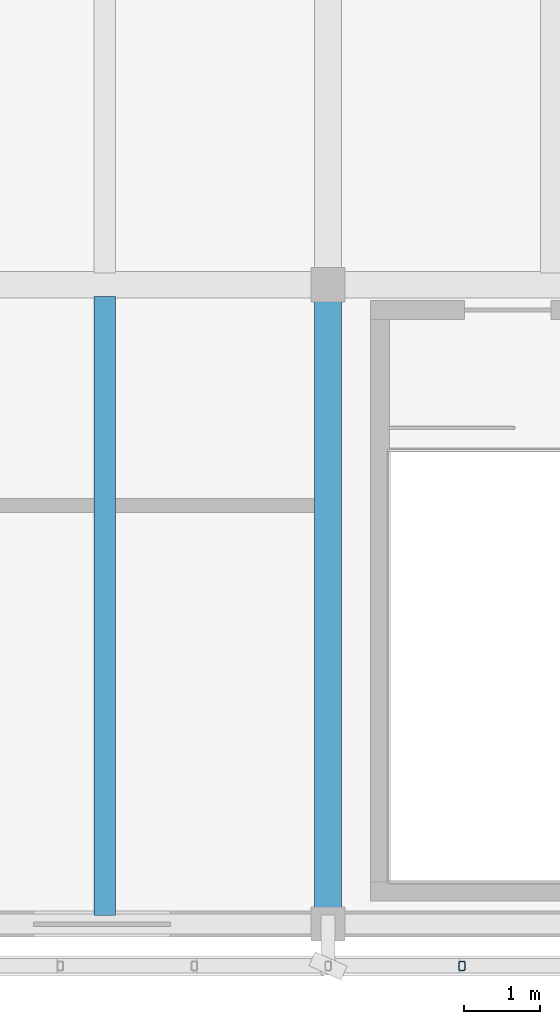
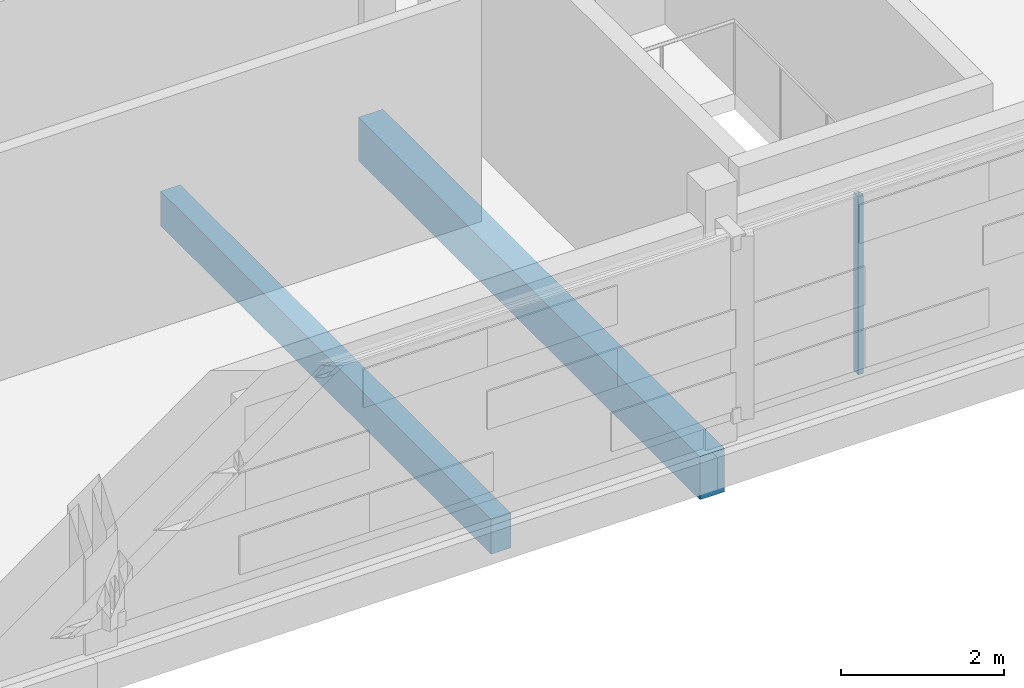
# One storey, part 26 of 117: 2 beams, 1 member.
"""IFC4 building model written with IfcOpenShell, lengths in metres."""

from ifc_helpers import new_model, si_unit, direction, frame, origin, origin_2d, place, context, subcontext, project, spatial, rectangle, hollow_rectangle, extrude, material, material_profile, profile_set, type_object, element, save


model = new_model("IFC4")

# Units and contexts
model_context = context("Model", 3, precision=1e-05, world=origin(), true_north=direction((0.0, 1.0)))
body_context = subcontext(model_context, "Body", "Model", "MODEL_VIEW")
ifc_project = project(units=[si_unit("LENGTHUNIT", "METRE"), si_unit("AREAUNIT", "SQUARE_METRE"), si_unit("VOLUMEUNIT", "CUBIC_METRE"), si_unit("PLANEANGLEUNIT", "RADIAN"), si_unit("MASSUNIT", "GRAM", prefix="KILO")], contexts=[model_context])

# Site, building, storey
site_placement = place(None, origin())
site = spatial("IfcSite", under=ifc_project, at=site_placement, CompositionType="ELEMENT")
building_placement = place(site_placement, origin())
building = spatial("IfcBuilding", under=site, at=building_placement, Name="Cinderway Yard Community Centre", CompositionType="ELEMENT")
storey_placement = place(building_placement, frame((0.0, 0.0, 9.0)))
storey = spatial("IfcBuildingStorey", under=building, at=storey_placement, Name="L02", CompositionType="ELEMENT", Elevation=9.0)

# Member
ifc_material_1 = material(Name="Steel S355", Category="steel")
ifc_material_profile_1 = material_profile(ifc_material_1, hollow_rectangle(XDim=0.080078125, YDim=0.1201171875, WallThickness=0.00634765625, InnerFilletRadius=0.00634765625, OuterFilletRadius=0.0126953125, at=origin_2d()), Name="Steel S355")
ifc_profile_set_1 = profile_set([ifc_material_profile_1], Name="Steel S355")
member_type = type_object("IfcMemberType", Name="ENV-MEM-SCREEN-RAIL-120", PredefinedType="STRINGER", material=ifc_profile_set_1)
member_placement = place(storey_placement, frame((103.360107421875, 5.449951171875, 0.68994140625), z_axis=(0.0, 0.0, 1.0), x_axis=(1.0, 0.0, 0.0)))
element("IfcMember", 1, at=member_placement, inside=storey, type_object=member_type, Name="Screen vertical mullion 0685", PredefinedType="STRINGER", context=body_context, shape_type="SweptSolid", body=[
    extrude(hollow_rectangle(XDim=0.080078125, YDim=0.1201171875, WallThickness=0.00634765625, InnerFilletRadius=0.00634765625, OuterFilletRadius=0.0126953125, at=origin_2d()), origin(), (0.0, 0.0, 1.0), 2.670166015625),
])

# Beams
ifc_material_2 = material(Name="Concrete C35/45", Category="concrete")
ifc_material_profile_2 = material_profile(ifc_material_2, rectangle(XDim=0.280029296875, YDim=0.52001953125, at=origin_2d()), Name="Concrete C35/45")
ifc_profile_set_2 = profile_set([ifc_material_profile_2], Name="Concrete C35/45")
beam_type_1 = type_object("IfcBeamType", Name="STR-BM-RC280X520", PredefinedType="JOIST", material=ifc_profile_set_2)
beam_1_placement = place(storey_placement, frame((98.6669921875, 6.112060546875, -0.5), z_axis=(0.0, 1.0, 0.0), x_axis=(-1.0, 0.0, 0.0)))
element("IfcBeam", 2, at=beam_1_placement, inside=storey, type_object=beam_type_1, Name="Secondary joist STR-BM-L02-BJ04-0486", PredefinedType="JOIST", context=body_context, shape_type="SweptSolid", body=[
    extrude(rectangle(XDim=0.280029296875, YDim=0.52001953125, at=origin_2d()), origin(), (0.0, 0.0, 1.0), 8.130859375),
])
ifc_material_profile_3 = material_profile(ifc_material_2, rectangle(XDim=0.35009765625, YDim=0.64990234375, at=origin_2d()), Name="Concrete C35/45")
ifc_profile_set_3 = profile_set([ifc_material_profile_3], Name="Concrete C35/45")
beam_type_2 = type_object("IfcBeamType", Name="STR-BM-RC350X650", PredefinedType="BEAM", material=ifc_profile_set_3)
beam_2_placement = place(storey_placement, frame((101.60009765625, 6.0, -0.56494140625), z_axis=(0.0, 1.0, 0.0), x_axis=(-1.0, 0.0, 0.0)))
element("IfcBeam", 3, at=beam_2_placement, inside=storey, type_object=beam_type_2, Name="Transverse girder STR-BM-L02-BG08-0465", PredefinedType="BEAM", context=body_context, shape_type="SweptSolid", body=[
    extrude(rectangle(XDim=0.35009765625, YDim=0.64990234375, at=origin_2d()), origin(), (0.0, 0.0, 1.0), 8.39990234375),
])

save(model, "model.ifc")
